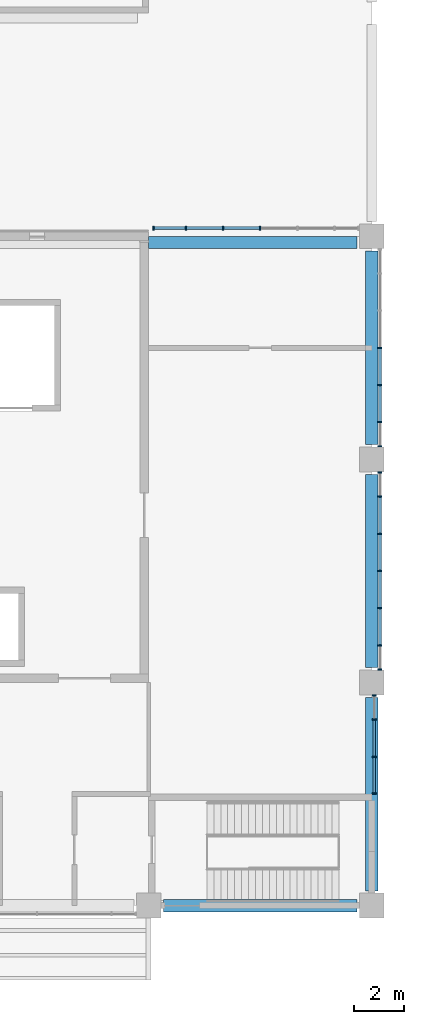
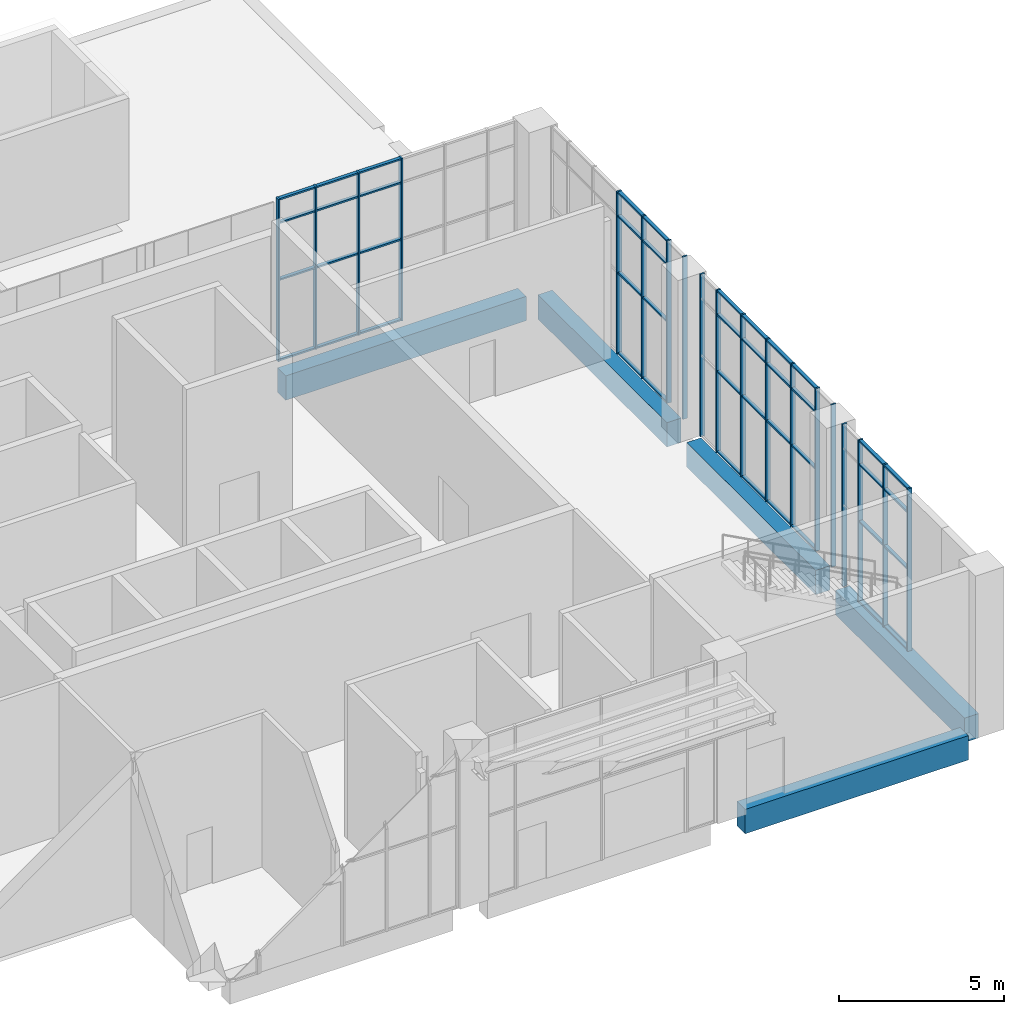
# One storey, part 29 of 86: 63 members, 5 beams, 4 elements without a shape of their own.
"""IFC4 building model written with IfcOpenShell, lengths in metres."""

from ifc_helpers import new_model, si_unit, direction, frame, origin, origin_2d, place, context, subcontext, project, spatial, rectangle, extrude, material, layer, layer_set, material_profile, profile_set, type_object, element, aggregate, save


model = new_model("IFC4")

# Units and contexts
model_context = context("Model", 3, precision=1e-05, world=origin(), true_north=direction((0.0, 1.0)))
body_context = subcontext(model_context, "Body", "Model", "MODEL_VIEW")
ifc_project = project(units=[si_unit("LENGTHUNIT", "METRE"), si_unit("AREAUNIT", "SQUARE_METRE"), si_unit("VOLUMEUNIT", "CUBIC_METRE"), si_unit("PLANEANGLEUNIT", "RADIAN"), si_unit("MASSUNIT", "GRAM", prefix="KILO")], contexts=[model_context])

# Site, building, storey
site_placement = place(None, origin())
site = spatial("IfcSite", under=ifc_project, at=site_placement, CompositionType="ELEMENT")
building_placement = place(site_placement, origin())
building = spatial("IfcBuilding", under=site, at=building_placement, Name="Guidao Yard Department Store", CompositionType="ELEMENT")
storey_placement = place(building_placement, origin())
storey = spatial("IfcBuildingStorey", under=building, at=storey_placement, Name="L00", CompositionType="ELEMENT", Elevation=0.0)

# Beam
ifc_material_1 = material(Name="Concrete C40", Category="concrete")
ifc_material_profile_1 = material_profile(ifc_material_1, rectangle(XDim=0.5, YDim=0.89990234375, at=origin_2d()), Name="Edge beam 500 x 900 C40")
ifc_profile_set_1 = profile_set([ifc_material_profile_1], Name="Concrete C40")
beam_type_1 = type_object("IfcBeamType", Name="Edge beam 500 x 900 C40", PredefinedType="BEAM", material=ifc_profile_set_1)
beam_placement = place(storey_placement, frame((162.0, 26.75, -0.449951171875), z_axis=(1.0, 0.0, 0.0), x_axis=(0.0, 1.0, 0.0)))
element("IfcBeam", 1, at=beam_placement, inside=storey, type_object=beam_type_1, Name="Beam FB04", PredefinedType="BEAM", context=body_context, shape_type="SweptSolid", body=[
    extrude(rectangle(XDim=0.5, YDim=0.89990234375, at=origin_2d()), origin(), (0.0, 0.0, 1.0), 8.39990234375),
])

# Curtain wall, members
ifc_material_2 = material(Name="Aluminium and glass", Category="aluminium")
ifc_layer = layer(ifc_material_2, 0.159912109375)
ifc_layer_set = layer_set([ifc_layer], Name="Unitised curtain wall CW4 1500 module")
curtain_wall_type = type_object("IfcCurtainWallType", Name="Unitised curtain wall CW4 1500 module", PredefinedType="NOTDEFINED", material=ifc_layer_set)
curtain_wall_1_placement = place(storey_placement, origin())
curtain_wall_1 = element("IfcCurtainWall", 2, at=curtain_wall_1_placement, inside=storey, type_object=curtain_wall_type, Name="Unitised curtain wall", PredefinedType="NOTDEFINED")
ifc_material_3 = material(Name="Aluminium 6063-T5", Category="aluminium")
ifc_material_profile_2 = material_profile(ifc_material_3, rectangle(XDim=0.06005859375, YDim=0.159912109375, at=origin_2d()), Name="Mullion M1 60 x 160 aluminium pressure plate")
ifc_profile_set_2 = profile_set([ifc_material_profile_2], Name="Aluminium 6063-T5")
member_type_1 = type_object("IfcMemberType", Name="Mullion M1 60 x 160 aluminium pressure plate", PredefinedType="MULLION", material=ifc_profile_set_2)
member_1_placement = place(storey_placement, frame((162.205078125, 27.330078125, 0.0), z_axis=(0.0, 0.0, 1.0), x_axis=(1.0, 0.0, 0.0)))
member_1 = element("IfcMember", 3, at=member_1_placement, type_object=member_type_1, Name="CW-OW-L00-07 mullion 1", PredefinedType="MULLION", context=body_context, shape_type="SweptSolid", body=[
    extrude(rectangle(XDim=0.06005859375, YDim=0.159912109375, at=origin_2d()), origin(), (0.0, 0.0, 1.0), 6.0),
])
member_2_placement = place(storey_placement, frame((163.5, 27.330078125, 0.0), z_axis=(0.0, 0.0, 1.0), x_axis=(1.0, 0.0, 0.0)))
member_2 = element("IfcMember", 4, at=member_2_placement, type_object=member_type_1, Name="CW-OW-L00-07 mullion 2", PredefinedType="MULLION", context=body_context, shape_type="SweptSolid", body=[
    extrude(rectangle(XDim=0.06005859375, YDim=0.159912109375, at=origin_2d()), origin(), (0.0, 0.0, 1.0), 6.0),
])
member_3_placement = place(storey_placement, frame((165.0, 27.330078125, 0.0), z_axis=(0.0, 0.0, 1.0), x_axis=(1.0, 0.0, 0.0)))
member_3 = element("IfcMember", 5, at=member_3_placement, type_object=member_type_1, Name="CW-OW-L00-07 mullion 3", PredefinedType="MULLION", context=body_context, shape_type="SweptSolid", body=[
    extrude(rectangle(XDim=0.06005859375, YDim=0.159912109375, at=origin_2d()), origin(), (0.0, 0.0, 1.0), 6.0),
])
member_4_placement = place(storey_placement, frame((166.5, 27.330078125, 0.0), z_axis=(0.0, 0.0, 1.0), x_axis=(1.0, 0.0, 0.0)))
member_4 = element("IfcMember", 6, at=member_4_placement, type_object=member_type_1, Name="CW-OW-L00-07 mullion 4", PredefinedType="MULLION", context=body_context, shape_type="SweptSolid", body=[
    extrude(rectangle(XDim=0.06005859375, YDim=0.159912109375, at=origin_2d()), origin(), (0.0, 0.0, 1.0), 6.0),
])

curtain_wall_2_placement = place(storey_placement, origin())
curtain_wall_2 = element("IfcCurtainWall", 7, at=curtain_wall_2_placement, inside=storey, type_object=curtain_wall_type, Name="Unitised curtain wall", PredefinedType="NOTDEFINED")
member_5_placement = place(storey_placement, frame((171.10009765625, 4.530029296875, 0.0), z_axis=(0.0, 0.0, 1.0), x_axis=(0.0, -1.0, 0.0)))
member_5 = element("IfcMember", 8, at=member_5_placement, type_object=member_type_1, Name="CW-OW-L00-08 mullion 1", PredefinedType="MULLION", context=body_context, shape_type="SweptSolid", body=[
    extrude(rectangle(XDim=0.06005859375, YDim=0.159912109375, at=origin_2d()), origin(), (0.0, 0.0, 1.0), 6.0),
])
member_6_placement = place(storey_placement, frame((171.10009765625, 6.0, 0.0), z_axis=(0.0, 0.0, 1.0), x_axis=(0.0, -1.0, 0.0)))
member_6 = element("IfcMember", 9, at=member_6_placement, type_object=member_type_1, Name="CW-OW-L00-08 mullion 2", PredefinedType="MULLION", context=body_context, shape_type="SweptSolid", body=[
    extrude(rectangle(XDim=0.06005859375, YDim=0.159912109375, at=origin_2d()), origin(), (0.0, 0.0, 1.0), 6.0),
])
member_7_placement = place(storey_placement, frame((171.10009765625, 7.5, 0.0), z_axis=(0.0, 0.0, 1.0), x_axis=(0.0, -1.0, 0.0)))
member_7 = element("IfcMember", 10, at=member_7_placement, type_object=member_type_1, Name="CW-OW-L00-08 mullion 3", PredefinedType="MULLION", context=body_context, shape_type="SweptSolid", body=[
    extrude(rectangle(XDim=0.06005859375, YDim=0.159912109375, at=origin_2d()), origin(), (0.0, 0.0, 1.0), 6.0),
])
member_8_placement = place(storey_placement, frame((171.10009765625, 8.469970703125, 0.0), z_axis=(0.0, 0.0, 1.0), x_axis=(0.0, -1.0, 0.0)))
member_8 = element("IfcMember", 11, at=member_8_placement, type_object=member_type_1, Name="CW-OW-L00-08 mullion 4", PredefinedType="MULLION", context=body_context, shape_type="SweptSolid", body=[
    extrude(rectangle(XDim=0.06005859375, YDim=0.159912109375, at=origin_2d()), origin(), (0.0, 0.0, 1.0), 6.0),
])

curtain_wall_3_placement = place(storey_placement, origin())
curtain_wall_3 = element("IfcCurtainWall", 12, at=curtain_wall_3_placement, inside=storey, type_object=curtain_wall_type, Name="Unitised curtain wall", PredefinedType="NOTDEFINED")
member_9_placement = place(storey_placement, frame((171.330078125, 9.530029296875, 0.0), z_axis=(0.0, 0.0, 1.0), x_axis=(0.0, -1.0, 0.0)))
member_9 = element("IfcMember", 13, at=member_9_placement, type_object=member_type_1, Name="CW-OW-L00-09 mullion 1", PredefinedType="MULLION", context=body_context, shape_type="SweptSolid", body=[
    extrude(rectangle(XDim=0.06005859375, YDim=0.159912109375, at=origin_2d()), origin(), (0.0, 0.0, 1.0), 6.0),
])
member_10_placement = place(storey_placement, frame((171.330078125, 10.5, 0.0), z_axis=(0.0, 0.0, 1.0), x_axis=(0.0, -1.0, 0.0)))
member_10 = element("IfcMember", 14, at=member_10_placement, type_object=member_type_1, Name="CW-OW-L00-09 mullion 2", PredefinedType="MULLION", context=body_context, shape_type="SweptSolid", body=[
    extrude(rectangle(XDim=0.06005859375, YDim=0.159912109375, at=origin_2d()), origin(), (0.0, 0.0, 1.0), 6.0),
])
member_11_placement = place(storey_placement, frame((171.330078125, 12.0, 0.0), z_axis=(0.0, 0.0, 1.0), x_axis=(0.0, -1.0, 0.0)))
member_11 = element("IfcMember", 15, at=member_11_placement, type_object=member_type_1, Name="CW-OW-L00-09 mullion 3", PredefinedType="MULLION", context=body_context, shape_type="SweptSolid", body=[
    extrude(rectangle(XDim=0.06005859375, YDim=0.159912109375, at=origin_2d()), origin(), (0.0, 0.0, 1.0), 6.0),
])
member_12_placement = place(storey_placement, frame((171.330078125, 13.5, 0.0), z_axis=(0.0, 0.0, 1.0), x_axis=(0.0, -1.0, 0.0)))
member_12 = element("IfcMember", 16, at=member_12_placement, type_object=member_type_1, Name="CW-OW-L00-09 mullion 4", PredefinedType="MULLION", context=body_context, shape_type="SweptSolid", body=[
    extrude(rectangle(XDim=0.06005859375, YDim=0.159912109375, at=origin_2d()), origin(), (0.0, 0.0, 1.0), 6.0),
])
member_13_placement = place(storey_placement, frame((171.330078125, 15.0, 0.0), z_axis=(0.0, 0.0, 1.0), x_axis=(0.0, -1.0, 0.0)))
member_13 = element("IfcMember", 17, at=member_13_placement, type_object=member_type_1, Name="CW-OW-L00-09 mullion 5", PredefinedType="MULLION", context=body_context, shape_type="SweptSolid", body=[
    extrude(rectangle(XDim=0.06005859375, YDim=0.159912109375, at=origin_2d()), origin(), (0.0, 0.0, 1.0), 6.0),
])
member_14_placement = place(storey_placement, frame((171.330078125, 16.5, 0.0), z_axis=(0.0, 0.0, 1.0), x_axis=(0.0, -1.0, 0.0)))
member_14 = element("IfcMember", 18, at=member_14_placement, type_object=member_type_1, Name="CW-OW-L00-09 mullion 6", PredefinedType="MULLION", context=body_context, shape_type="SweptSolid", body=[
    extrude(rectangle(XDim=0.06005859375, YDim=0.159912109375, at=origin_2d()), origin(), (0.0, 0.0, 1.0), 6.0),
])
member_15_placement = place(storey_placement, frame((171.330078125, 17.469970703125, 0.0), z_axis=(0.0, 0.0, 1.0), x_axis=(0.0, -1.0, 0.0)))
member_15 = element("IfcMember", 19, at=member_15_placement, type_object=member_type_1, Name="CW-OW-L00-09 mullion 7", PredefinedType="MULLION", context=body_context, shape_type="SweptSolid", body=[
    extrude(rectangle(XDim=0.06005859375, YDim=0.159912109375, at=origin_2d()), origin(), (0.0, 0.0, 1.0), 6.0),
])

curtain_wall_4_placement = place(storey_placement, origin())
curtain_wall_4 = element("IfcCurtainWall", 20, at=curtain_wall_4_placement, inside=storey, type_object=curtain_wall_type, Name="Unitised curtain wall", PredefinedType="NOTDEFINED")
member_16_placement = place(storey_placement, frame((171.330078125, 18.530029296875, 0.0), z_axis=(0.0, 0.0, 1.0), x_axis=(0.0, -1.0, 0.0)))
member_16 = element("IfcMember", 21, at=member_16_placement, type_object=member_type_1, Name="CW-OW-L00-10 mullion 1", PredefinedType="MULLION", context=body_context, shape_type="SweptSolid", body=[
    extrude(rectangle(XDim=0.06005859375, YDim=0.159912109375, at=origin_2d()), origin(), (0.0, 0.0, 1.0), 6.0),
])
member_17_placement = place(storey_placement, frame((171.330078125, 19.5, 0.0), z_axis=(0.0, 0.0, 1.0), x_axis=(0.0, -1.0, 0.0)))
member_17 = element("IfcMember", 22, at=member_17_placement, type_object=member_type_1, Name="CW-OW-L00-10 mullion 2", PredefinedType="MULLION", context=body_context, shape_type="SweptSolid", body=[
    extrude(rectangle(XDim=0.06005859375, YDim=0.159912109375, at=origin_2d()), origin(), (0.0, 0.0, 1.0), 6.0),
])
member_18_placement = place(storey_placement, frame((171.330078125, 21.0, 0.0), z_axis=(0.0, 0.0, 1.0), x_axis=(0.0, -1.0, 0.0)))
member_18 = element("IfcMember", 23, at=member_18_placement, type_object=member_type_1, Name="CW-OW-L00-10 mullion 3", PredefinedType="MULLION", context=body_context, shape_type="SweptSolid", body=[
    extrude(rectangle(XDim=0.06005859375, YDim=0.159912109375, at=origin_2d()), origin(), (0.0, 0.0, 1.0), 6.0),
])
member_19_placement = place(storey_placement, frame((171.330078125, 22.5, 0.0), z_axis=(0.0, 0.0, 1.0), x_axis=(0.0, -1.0, 0.0)))
member_19 = element("IfcMember", 24, at=member_19_placement, type_object=member_type_1, Name="CW-OW-L00-10 mullion 4", PredefinedType="MULLION", context=body_context, shape_type="SweptSolid", body=[
    extrude(rectangle(XDim=0.06005859375, YDim=0.159912109375, at=origin_2d()), origin(), (0.0, 0.0, 1.0), 6.0),
])

# Beams
ifc_material_4 = material(Name="Concrete C40", Category="concrete")
ifc_material_profile_3 = material_profile(ifc_material_4, rectangle(XDim=0.5, YDim=0.89990234375, at=origin_2d()), Name="Spandrel beam 500 x 900 C40")
ifc_profile_set_3 = profile_set([ifc_material_profile_3], Name="Concrete C40")
beam_type_2 = type_object("IfcBeamType", Name="Spandrel beam 500 x 900 C40", PredefinedType="SPANDREL", material=ifc_profile_set_3)
for number, where, z_axis, x_axis, name in (
    (25, (171.0, 0.60009765625, -0.449951171875), (0.0, 1.0, 0.0), (-1.0, 0.0, 0.0), "Beam FB05"),
    (26, (171.0, 9.60009765625, -0.449951171875), (0.0, 1.0, 0.0), (-1.0, 0.0, 0.0), "Beam FB06"),
    (27, (171.0, 18.60009765625, -0.449951171875), (0.0, 1.0, 0.0), (-1.0, 0.0, 0.0), "Beam FB07"),
    (28, (162.60009765625, 0.0, -0.449951171875), (1.0, 0.0, 0.0), (0.0, 1.0, 0.0), "Beam FB10"),
):
    element("IfcBeam", number, at=place(storey_placement, frame(where, z_axis=z_axis, x_axis=x_axis)), inside=storey, type_object=beam_type_2, Name=name, PredefinedType="SPANDREL", context=body_context, shape_type="SweptSolid", body=[
        extrude(rectangle(XDim=0.5, YDim=0.89990234375, at=origin_2d()), origin(), (0.0, 0.0, 1.0), 7.7998046875),
    ])

# Member
ifc_material_5 = material(Name="Aluminium 6063-T5", Category="aluminium")
ifc_material_profile_4 = material_profile(ifc_material_5, rectangle(XDim=0.1201171875, YDim=0.06005859375, at=origin_2d()), Name="Transom T1 60 x 120 aluminium pressure plate")
ifc_profile_set_4 = profile_set([ifc_material_profile_4], Name="Aluminium 6063-T5")
member_type_2 = type_object("IfcMemberType", Name="Transom T1 60 x 120 aluminium pressure plate", PredefinedType="USERDEFINED", material=ifc_profile_set_4)
member_20_placement = place(storey_placement, frame((162.235107421875, 27.330078125, 0.030029296875), z_axis=(1.0, 0.0, 0.0), x_axis=(0.0, 1.0, 0.0)))
member_20 = element("IfcMember", 29, at=member_20_placement, type_object=member_type_2, Name="CW-OW-L00-07 transom 1.1", ObjectType="TRANSOM", PredefinedType="USERDEFINED", context=body_context, shape_type="SweptSolid", body=[
    extrude(rectangle(XDim=0.1201171875, YDim=0.06005859375, at=origin_2d()), origin(), (0.0, 0.0, 1.0), 1.23486328125),
])

member_21_placement = place(storey_placement, frame((162.235107421875, 27.330078125, 3.0), z_axis=(1.0, 0.0, 0.0), x_axis=(0.0, 1.0, 0.0)))
member_21 = element("IfcMember", 30, at=member_21_placement, type_object=member_type_2, Name="CW-OW-L00-07 transom 1.2", ObjectType="TRANSOM", PredefinedType="USERDEFINED", context=body_context, shape_type="SweptSolid", body=[
    extrude(rectangle(XDim=0.1201171875, YDim=0.06005859375, at=origin_2d()), origin(), (0.0, 0.0, 1.0), 1.23486328125),
])

member_22_placement = place(storey_placement, frame((162.235107421875, 27.330078125, 5.10009765625), z_axis=(1.0, 0.0, 0.0), x_axis=(0.0, 1.0, 0.0)))
member_22 = element("IfcMember", 31, at=member_22_placement, type_object=member_type_2, Name="CW-OW-L00-07 transom 1.3", ObjectType="TRANSOM", PredefinedType="USERDEFINED", context=body_context, shape_type="SweptSolid", body=[
    extrude(rectangle(XDim=0.1201171875, YDim=0.06005859375, at=origin_2d()), origin(), (0.0, 0.0, 1.0), 1.23486328125),
])

member_23_placement = place(storey_placement, frame((162.235107421875, 27.330078125, 5.969970703125), z_axis=(1.0, 0.0, 0.0), x_axis=(0.0, 1.0, 0.0)))
member_23 = element("IfcMember", 32, at=member_23_placement, type_object=member_type_2, Name="CW-OW-L00-07 transom 1.4", ObjectType="TRANSOM", PredefinedType="USERDEFINED", context=body_context, shape_type="SweptSolid", body=[
    extrude(rectangle(XDim=0.1201171875, YDim=0.06005859375, at=origin_2d()), origin(), (0.0, 0.0, 1.0), 1.23486328125),
])

member_24_placement = place(storey_placement, frame((163.530029296875, 27.330078125, 0.030029296875), z_axis=(1.0, 0.0, 0.0), x_axis=(0.0, 1.0, 0.0)))
member_24 = element("IfcMember", 33, at=member_24_placement, type_object=member_type_2, Name="CW-OW-L00-07 transom 2.1", ObjectType="TRANSOM", PredefinedType="USERDEFINED", context=body_context, shape_type="SweptSolid", body=[
    extrude(rectangle(XDim=0.1201171875, YDim=0.06005859375, at=origin_2d()), origin(), (0.0, 0.0, 1.0), 1.43994140625),
])

member_25_placement = place(storey_placement, frame((163.530029296875, 27.330078125, 3.0), z_axis=(1.0, 0.0, 0.0), x_axis=(0.0, 1.0, 0.0)))
member_25 = element("IfcMember", 34, at=member_25_placement, type_object=member_type_2, Name="CW-OW-L00-07 transom 2.2", ObjectType="TRANSOM", PredefinedType="USERDEFINED", context=body_context, shape_type="SweptSolid", body=[
    extrude(rectangle(XDim=0.1201171875, YDim=0.06005859375, at=origin_2d()), origin(), (0.0, 0.0, 1.0), 1.43994140625),
])

member_26_placement = place(storey_placement, frame((163.530029296875, 27.330078125, 5.10009765625), z_axis=(1.0, 0.0, 0.0), x_axis=(0.0, 1.0, 0.0)))
member_26 = element("IfcMember", 35, at=member_26_placement, type_object=member_type_2, Name="CW-OW-L00-07 transom 2.3", ObjectType="TRANSOM", PredefinedType="USERDEFINED", context=body_context, shape_type="SweptSolid", body=[
    extrude(rectangle(XDim=0.1201171875, YDim=0.06005859375, at=origin_2d()), origin(), (0.0, 0.0, 1.0), 1.43994140625),
])

member_27_placement = place(storey_placement, frame((163.530029296875, 27.330078125, 5.969970703125), z_axis=(1.0, 0.0, 0.0), x_axis=(0.0, 1.0, 0.0)))
member_27 = element("IfcMember", 36, at=member_27_placement, type_object=member_type_2, Name="CW-OW-L00-07 transom 2.4", ObjectType="TRANSOM", PredefinedType="USERDEFINED", context=body_context, shape_type="SweptSolid", body=[
    extrude(rectangle(XDim=0.1201171875, YDim=0.06005859375, at=origin_2d()), origin(), (0.0, 0.0, 1.0), 1.43994140625),
])

member_28_placement = place(storey_placement, frame((165.030029296875, 27.330078125, 0.030029296875), z_axis=(1.0, 0.0, 0.0), x_axis=(0.0, 1.0, 0.0)))
member_28 = element("IfcMember", 37, at=member_28_placement, type_object=member_type_2, Name="CW-OW-L00-07 transom 3.1", ObjectType="TRANSOM", PredefinedType="USERDEFINED", context=body_context, shape_type="SweptSolid", body=[
    extrude(rectangle(XDim=0.1201171875, YDim=0.06005859375, at=origin_2d()), origin(), (0.0, 0.0, 1.0), 1.43994140625),
])

member_29_placement = place(storey_placement, frame((165.030029296875, 27.330078125, 3.0), z_axis=(1.0, 0.0, 0.0), x_axis=(0.0, 1.0, 0.0)))
member_29 = element("IfcMember", 38, at=member_29_placement, type_object=member_type_2, Name="CW-OW-L00-07 transom 3.2", ObjectType="TRANSOM", PredefinedType="USERDEFINED", context=body_context, shape_type="SweptSolid", body=[
    extrude(rectangle(XDim=0.1201171875, YDim=0.06005859375, at=origin_2d()), origin(), (0.0, 0.0, 1.0), 1.43994140625),
])

member_30_placement = place(storey_placement, frame((165.030029296875, 27.330078125, 5.10009765625), z_axis=(1.0, 0.0, 0.0), x_axis=(0.0, 1.0, 0.0)))
member_30 = element("IfcMember", 39, at=member_30_placement, type_object=member_type_2, Name="CW-OW-L00-07 transom 3.3", ObjectType="TRANSOM", PredefinedType="USERDEFINED", context=body_context, shape_type="SweptSolid", body=[
    extrude(rectangle(XDim=0.1201171875, YDim=0.06005859375, at=origin_2d()), origin(), (0.0, 0.0, 1.0), 1.43994140625),
])

member_31_placement = place(storey_placement, frame((165.030029296875, 27.330078125, 5.969970703125), z_axis=(1.0, 0.0, 0.0), x_axis=(0.0, 1.0, 0.0)))
member_31 = element("IfcMember", 40, at=member_31_placement, type_object=member_type_2, Name="CW-OW-L00-07 transom 3.4", ObjectType="TRANSOM", PredefinedType="USERDEFINED", context=body_context, shape_type="SweptSolid", body=[
    extrude(rectangle(XDim=0.1201171875, YDim=0.06005859375, at=origin_2d()), origin(), (0.0, 0.0, 1.0), 1.43994140625),
])

aggregate(curtain_wall_1, [member_1, member_2, member_3, member_4, member_20, member_21, member_22, member_23, member_24, member_25, member_26, member_27, member_28, member_29, member_30, member_31])

member_32_placement = place(storey_placement, frame((171.10009765625, 5.969970703125, 0.030029296875), z_axis=(0.0, -1.0, 0.0), x_axis=(1.0, 0.0, 0.0)))
member_32 = element("IfcMember", 41, at=member_32_placement, type_object=member_type_2, Name="CW-OW-L00-08 transom 1.1", ObjectType="TRANSOM", PredefinedType="USERDEFINED", context=body_context, shape_type="SweptSolid", body=[
    extrude(rectangle(XDim=0.1201171875, YDim=0.06005859375, at=origin_2d()), origin(), (0.0, 0.0, 1.0), 1.409912109375),
])

member_33_placement = place(storey_placement, frame((171.10009765625, 5.969970703125, 3.0), z_axis=(0.0, -1.0, 0.0), x_axis=(1.0, 0.0, 0.0)))
member_33 = element("IfcMember", 42, at=member_33_placement, type_object=member_type_2, Name="CW-OW-L00-08 transom 1.2", ObjectType="TRANSOM", PredefinedType="USERDEFINED", context=body_context, shape_type="SweptSolid", body=[
    extrude(rectangle(XDim=0.1201171875, YDim=0.06005859375, at=origin_2d()), origin(), (0.0, 0.0, 1.0), 1.409912109375),
])

member_34_placement = place(storey_placement, frame((171.10009765625, 5.969970703125, 5.10009765625), z_axis=(0.0, -1.0, 0.0), x_axis=(1.0, 0.0, 0.0)))
member_34 = element("IfcMember", 43, at=member_34_placement, type_object=member_type_2, Name="CW-OW-L00-08 transom 1.3", ObjectType="TRANSOM", PredefinedType="USERDEFINED", context=body_context, shape_type="SweptSolid", body=[
    extrude(rectangle(XDim=0.1201171875, YDim=0.06005859375, at=origin_2d()), origin(), (0.0, 0.0, 1.0), 1.409912109375),
])

member_35_placement = place(storey_placement, frame((171.10009765625, 5.969970703125, 5.969970703125), z_axis=(0.0, -1.0, 0.0), x_axis=(1.0, 0.0, 0.0)))
member_35 = element("IfcMember", 44, at=member_35_placement, type_object=member_type_2, Name="CW-OW-L00-08 transom 1.4", ObjectType="TRANSOM", PredefinedType="USERDEFINED", context=body_context, shape_type="SweptSolid", body=[
    extrude(rectangle(XDim=0.1201171875, YDim=0.06005859375, at=origin_2d()), origin(), (0.0, 0.0, 1.0), 1.409912109375),
])

member_36_placement = place(storey_placement, frame((171.10009765625, 7.469970703125, 0.030029296875), z_axis=(0.0, -1.0, 0.0), x_axis=(1.0, 0.0, 0.0)))
member_36 = element("IfcMember", 45, at=member_36_placement, type_object=member_type_2, Name="CW-OW-L00-08 transom 2.1", ObjectType="TRANSOM", PredefinedType="USERDEFINED", context=body_context, shape_type="SweptSolid", body=[
    extrude(rectangle(XDim=0.1201171875, YDim=0.06005859375, at=origin_2d()), origin(), (0.0, 0.0, 1.0), 1.43994140625),
])

member_37_placement = place(storey_placement, frame((171.10009765625, 7.469970703125, 3.0), z_axis=(0.0, -1.0, 0.0), x_axis=(1.0, 0.0, 0.0)))
member_37 = element("IfcMember", 46, at=member_37_placement, type_object=member_type_2, Name="CW-OW-L00-08 transom 2.2", ObjectType="TRANSOM", PredefinedType="USERDEFINED", context=body_context, shape_type="SweptSolid", body=[
    extrude(rectangle(XDim=0.1201171875, YDim=0.06005859375, at=origin_2d()), origin(), (0.0, 0.0, 1.0), 1.43994140625),
])

member_38_placement = place(storey_placement, frame((171.10009765625, 7.469970703125, 5.10009765625), z_axis=(0.0, -1.0, 0.0), x_axis=(1.0, 0.0, 0.0)))
member_38 = element("IfcMember", 47, at=member_38_placement, type_object=member_type_2, Name="CW-OW-L00-08 transom 2.3", ObjectType="TRANSOM", PredefinedType="USERDEFINED", context=body_context, shape_type="SweptSolid", body=[
    extrude(rectangle(XDim=0.1201171875, YDim=0.06005859375, at=origin_2d()), origin(), (0.0, 0.0, 1.0), 1.43994140625),
])

member_39_placement = place(storey_placement, frame((171.10009765625, 7.469970703125, 5.969970703125), z_axis=(0.0, -1.0, 0.0), x_axis=(1.0, 0.0, 0.0)))
member_39 = element("IfcMember", 48, at=member_39_placement, type_object=member_type_2, Name="CW-OW-L00-08 transom 2.4", ObjectType="TRANSOM", PredefinedType="USERDEFINED", context=body_context, shape_type="SweptSolid", body=[
    extrude(rectangle(XDim=0.1201171875, YDim=0.06005859375, at=origin_2d()), origin(), (0.0, 0.0, 1.0), 1.43994140625),
])

aggregate(curtain_wall_2, [member_5, member_6, member_7, member_8, member_32, member_33, member_34, member_35, member_36, member_37, member_38, member_39])

member_40_placement = place(storey_placement, frame((171.330078125, 11.969970703125, 0.030029296875), z_axis=(0.0, -1.0, 0.0), x_axis=(1.0, 0.0, 0.0)))
member_40 = element("IfcMember", 49, at=member_40_placement, type_object=member_type_2, Name="CW-OW-L00-09 transom 2.1", ObjectType="TRANSOM", PredefinedType="USERDEFINED", context=body_context, shape_type="SweptSolid", body=[
    extrude(rectangle(XDim=0.1201171875, YDim=0.06005859375, at=origin_2d()), origin(), (0.0, 0.0, 1.0), 1.43994140625),
])

member_41_placement = place(storey_placement, frame((171.330078125, 11.969970703125, 3.0), z_axis=(0.0, -1.0, 0.0), x_axis=(1.0, 0.0, 0.0)))
member_41 = element("IfcMember", 50, at=member_41_placement, type_object=member_type_2, Name="CW-OW-L00-09 transom 2.2", ObjectType="TRANSOM", PredefinedType="USERDEFINED", context=body_context, shape_type="SweptSolid", body=[
    extrude(rectangle(XDim=0.1201171875, YDim=0.06005859375, at=origin_2d()), origin(), (0.0, 0.0, 1.0), 1.43994140625),
])

member_42_placement = place(storey_placement, frame((171.330078125, 11.969970703125, 5.10009765625), z_axis=(0.0, -1.0, 0.0), x_axis=(1.0, 0.0, 0.0)))
member_42 = element("IfcMember", 51, at=member_42_placement, type_object=member_type_2, Name="CW-OW-L00-09 transom 2.3", ObjectType="TRANSOM", PredefinedType="USERDEFINED", context=body_context, shape_type="SweptSolid", body=[
    extrude(rectangle(XDim=0.1201171875, YDim=0.06005859375, at=origin_2d()), origin(), (0.0, 0.0, 1.0), 1.43994140625),
])

member_43_placement = place(storey_placement, frame((171.330078125, 11.969970703125, 5.969970703125), z_axis=(0.0, -1.0, 0.0), x_axis=(1.0, 0.0, 0.0)))
member_43 = element("IfcMember", 52, at=member_43_placement, type_object=member_type_2, Name="CW-OW-L00-09 transom 2.4", ObjectType="TRANSOM", PredefinedType="USERDEFINED", context=body_context, shape_type="SweptSolid", body=[
    extrude(rectangle(XDim=0.1201171875, YDim=0.06005859375, at=origin_2d()), origin(), (0.0, 0.0, 1.0), 1.43994140625),
])

member_44_placement = place(storey_placement, frame((171.330078125, 13.469970703125, 0.030029296875), z_axis=(0.0, -1.0, 0.0), x_axis=(1.0, 0.0, 0.0)))
member_44 = element("IfcMember", 53, at=member_44_placement, type_object=member_type_2, Name="CW-OW-L00-09 transom 3.1", ObjectType="TRANSOM", PredefinedType="USERDEFINED", context=body_context, shape_type="SweptSolid", body=[
    extrude(rectangle(XDim=0.1201171875, YDim=0.06005859375, at=origin_2d()), origin(), (0.0, 0.0, 1.0), 1.43994140625),
])

member_45_placement = place(storey_placement, frame((171.330078125, 13.469970703125, 3.0), z_axis=(0.0, -1.0, 0.0), x_axis=(1.0, 0.0, 0.0)))
member_45 = element("IfcMember", 54, at=member_45_placement, type_object=member_type_2, Name="CW-OW-L00-09 transom 3.2", ObjectType="TRANSOM", PredefinedType="USERDEFINED", context=body_context, shape_type="SweptSolid", body=[
    extrude(rectangle(XDim=0.1201171875, YDim=0.06005859375, at=origin_2d()), origin(), (0.0, 0.0, 1.0), 1.43994140625),
])

member_46_placement = place(storey_placement, frame((171.330078125, 13.469970703125, 5.10009765625), z_axis=(0.0, -1.0, 0.0), x_axis=(1.0, 0.0, 0.0)))
member_46 = element("IfcMember", 55, at=member_46_placement, type_object=member_type_2, Name="CW-OW-L00-09 transom 3.3", ObjectType="TRANSOM", PredefinedType="USERDEFINED", context=body_context, shape_type="SweptSolid", body=[
    extrude(rectangle(XDim=0.1201171875, YDim=0.06005859375, at=origin_2d()), origin(), (0.0, 0.0, 1.0), 1.43994140625),
])

member_47_placement = place(storey_placement, frame((171.330078125, 13.469970703125, 5.969970703125), z_axis=(0.0, -1.0, 0.0), x_axis=(1.0, 0.0, 0.0)))
member_47 = element("IfcMember", 56, at=member_47_placement, type_object=member_type_2, Name="CW-OW-L00-09 transom 3.4", ObjectType="TRANSOM", PredefinedType="USERDEFINED", context=body_context, shape_type="SweptSolid", body=[
    extrude(rectangle(XDim=0.1201171875, YDim=0.06005859375, at=origin_2d()), origin(), (0.0, 0.0, 1.0), 1.43994140625),
])

member_48_placement = place(storey_placement, frame((171.330078125, 14.969970703125, 0.030029296875), z_axis=(0.0, -1.0, 0.0), x_axis=(1.0, 0.0, 0.0)))
member_48 = element("IfcMember", 57, at=member_48_placement, type_object=member_type_2, Name="CW-OW-L00-09 transom 4.1", ObjectType="TRANSOM", PredefinedType="USERDEFINED", context=body_context, shape_type="SweptSolid", body=[
    extrude(rectangle(XDim=0.1201171875, YDim=0.06005859375, at=origin_2d()), origin(), (0.0, 0.0, 1.0), 1.43994140625),
])

member_49_placement = place(storey_placement, frame((171.330078125, 14.969970703125, 3.0), z_axis=(0.0, -1.0, 0.0), x_axis=(1.0, 0.0, 0.0)))
member_49 = element("IfcMember", 58, at=member_49_placement, type_object=member_type_2, Name="CW-OW-L00-09 transom 4.2", ObjectType="TRANSOM", PredefinedType="USERDEFINED", context=body_context, shape_type="SweptSolid", body=[
    extrude(rectangle(XDim=0.1201171875, YDim=0.06005859375, at=origin_2d()), origin(), (0.0, 0.0, 1.0), 1.43994140625),
])

member_50_placement = place(storey_placement, frame((171.330078125, 14.969970703125, 5.10009765625), z_axis=(0.0, -1.0, 0.0), x_axis=(1.0, 0.0, 0.0)))
member_50 = element("IfcMember", 59, at=member_50_placement, type_object=member_type_2, Name="CW-OW-L00-09 transom 4.3", ObjectType="TRANSOM", PredefinedType="USERDEFINED", context=body_context, shape_type="SweptSolid", body=[
    extrude(rectangle(XDim=0.1201171875, YDim=0.06005859375, at=origin_2d()), origin(), (0.0, 0.0, 1.0), 1.43994140625),
])

member_51_placement = place(storey_placement, frame((171.330078125, 14.969970703125, 5.969970703125), z_axis=(0.0, -1.0, 0.0), x_axis=(1.0, 0.0, 0.0)))
member_51 = element("IfcMember", 60, at=member_51_placement, type_object=member_type_2, Name="CW-OW-L00-09 transom 4.4", ObjectType="TRANSOM", PredefinedType="USERDEFINED", context=body_context, shape_type="SweptSolid", body=[
    extrude(rectangle(XDim=0.1201171875, YDim=0.06005859375, at=origin_2d()), origin(), (0.0, 0.0, 1.0), 1.43994140625),
])

member_52_placement = place(storey_placement, frame((171.330078125, 16.469970703125, 0.030029296875), z_axis=(0.0, -1.0, 0.0), x_axis=(1.0, 0.0, 0.0)))
member_52 = element("IfcMember", 61, at=member_52_placement, type_object=member_type_2, Name="CW-OW-L00-09 transom 5.1", ObjectType="TRANSOM", PredefinedType="USERDEFINED", context=body_context, shape_type="SweptSolid", body=[
    extrude(rectangle(XDim=0.1201171875, YDim=0.06005859375, at=origin_2d()), origin(), (0.0, 0.0, 1.0), 1.43994140625),
])

member_53_placement = place(storey_placement, frame((171.330078125, 16.469970703125, 3.0), z_axis=(0.0, -1.0, 0.0), x_axis=(1.0, 0.0, 0.0)))
member_53 = element("IfcMember", 62, at=member_53_placement, type_object=member_type_2, Name="CW-OW-L00-09 transom 5.2", ObjectType="TRANSOM", PredefinedType="USERDEFINED", context=body_context, shape_type="SweptSolid", body=[
    extrude(rectangle(XDim=0.1201171875, YDim=0.06005859375, at=origin_2d()), origin(), (0.0, 0.0, 1.0), 1.43994140625),
])

member_54_placement = place(storey_placement, frame((171.330078125, 16.469970703125, 5.10009765625), z_axis=(0.0, -1.0, 0.0), x_axis=(1.0, 0.0, 0.0)))
member_54 = element("IfcMember", 63, at=member_54_placement, type_object=member_type_2, Name="CW-OW-L00-09 transom 5.3", ObjectType="TRANSOM", PredefinedType="USERDEFINED", context=body_context, shape_type="SweptSolid", body=[
    extrude(rectangle(XDim=0.1201171875, YDim=0.06005859375, at=origin_2d()), origin(), (0.0, 0.0, 1.0), 1.43994140625),
])

member_55_placement = place(storey_placement, frame((171.330078125, 16.469970703125, 5.969970703125), z_axis=(0.0, -1.0, 0.0), x_axis=(1.0, 0.0, 0.0)))
member_55 = element("IfcMember", 64, at=member_55_placement, type_object=member_type_2, Name="CW-OW-L00-09 transom 5.4", ObjectType="TRANSOM", PredefinedType="USERDEFINED", context=body_context, shape_type="SweptSolid", body=[
    extrude(rectangle(XDim=0.1201171875, YDim=0.06005859375, at=origin_2d()), origin(), (0.0, 0.0, 1.0), 1.43994140625),
])

aggregate(curtain_wall_3, [member_9, member_10, member_11, member_12, member_13, member_14, member_15, member_40, member_41, member_42, member_43, member_44, member_45, member_46, member_47, member_48, member_49, member_50, member_51, member_52, member_53, member_54, member_55])

member_56_placement = place(storey_placement, frame((171.330078125, 20.969970703125, 0.030029296875), z_axis=(0.0, -1.0, 0.0), x_axis=(1.0, 0.0, 0.0)))
member_56 = element("IfcMember", 65, at=member_56_placement, type_object=member_type_2, Name="CW-OW-L00-10 transom 2.1", ObjectType="TRANSOM", PredefinedType="USERDEFINED", context=body_context, shape_type="SweptSolid", body=[
    extrude(rectangle(XDim=0.1201171875, YDim=0.06005859375, at=origin_2d()), origin(), (0.0, 0.0, 1.0), 1.43994140625),
])

member_57_placement = place(storey_placement, frame((171.330078125, 20.969970703125, 3.0), z_axis=(0.0, -1.0, 0.0), x_axis=(1.0, 0.0, 0.0)))
member_57 = element("IfcMember", 66, at=member_57_placement, type_object=member_type_2, Name="CW-OW-L00-10 transom 2.2", ObjectType="TRANSOM", PredefinedType="USERDEFINED", context=body_context, shape_type="SweptSolid", body=[
    extrude(rectangle(XDim=0.1201171875, YDim=0.06005859375, at=origin_2d()), origin(), (0.0, 0.0, 1.0), 1.43994140625),
])

member_58_placement = place(storey_placement, frame((171.330078125, 20.969970703125, 5.10009765625), z_axis=(0.0, -1.0, 0.0), x_axis=(1.0, 0.0, 0.0)))
member_58 = element("IfcMember", 67, at=member_58_placement, type_object=member_type_2, Name="CW-OW-L00-10 transom 2.3", ObjectType="TRANSOM", PredefinedType="USERDEFINED", context=body_context, shape_type="SweptSolid", body=[
    extrude(rectangle(XDim=0.1201171875, YDim=0.06005859375, at=origin_2d()), origin(), (0.0, 0.0, 1.0), 1.43994140625),
])

member_59_placement = place(storey_placement, frame((171.330078125, 20.969970703125, 5.969970703125), z_axis=(0.0, -1.0, 0.0), x_axis=(1.0, 0.0, 0.0)))
member_59 = element("IfcMember", 68, at=member_59_placement, type_object=member_type_2, Name="CW-OW-L00-10 transom 2.4", ObjectType="TRANSOM", PredefinedType="USERDEFINED", context=body_context, shape_type="SweptSolid", body=[
    extrude(rectangle(XDim=0.1201171875, YDim=0.06005859375, at=origin_2d()), origin(), (0.0, 0.0, 1.0), 1.43994140625),
])

member_60_placement = place(storey_placement, frame((171.330078125, 22.469970703125, 0.030029296875), z_axis=(0.0, -1.0, 0.0), x_axis=(1.0, 0.0, 0.0)))
member_60 = element("IfcMember", 69, at=member_60_placement, type_object=member_type_2, Name="CW-OW-L00-10 transom 3.1", ObjectType="TRANSOM", PredefinedType="USERDEFINED", context=body_context, shape_type="SweptSolid", body=[
    extrude(rectangle(XDim=0.1201171875, YDim=0.06005859375, at=origin_2d()), origin(), (0.0, 0.0, 1.0), 1.43994140625),
])

member_61_placement = place(storey_placement, frame((171.330078125, 22.469970703125, 3.0), z_axis=(0.0, -1.0, 0.0), x_axis=(1.0, 0.0, 0.0)))
member_61 = element("IfcMember", 70, at=member_61_placement, type_object=member_type_2, Name="CW-OW-L00-10 transom 3.2", ObjectType="TRANSOM", PredefinedType="USERDEFINED", context=body_context, shape_type="SweptSolid", body=[
    extrude(rectangle(XDim=0.1201171875, YDim=0.06005859375, at=origin_2d()), origin(), (0.0, 0.0, 1.0), 1.43994140625),
])

member_62_placement = place(storey_placement, frame((171.330078125, 22.469970703125, 5.10009765625), z_axis=(0.0, -1.0, 0.0), x_axis=(1.0, 0.0, 0.0)))
member_62 = element("IfcMember", 71, at=member_62_placement, type_object=member_type_2, Name="CW-OW-L00-10 transom 3.3", ObjectType="TRANSOM", PredefinedType="USERDEFINED", context=body_context, shape_type="SweptSolid", body=[
    extrude(rectangle(XDim=0.1201171875, YDim=0.06005859375, at=origin_2d()), origin(), (0.0, 0.0, 1.0), 1.43994140625),
])

member_63_placement = place(storey_placement, frame((171.330078125, 22.469970703125, 5.969970703125), z_axis=(0.0, -1.0, 0.0), x_axis=(1.0, 0.0, 0.0)))
member_63 = element("IfcMember", 72, at=member_63_placement, type_object=member_type_2, Name="CW-OW-L00-10 transom 3.4", ObjectType="TRANSOM", PredefinedType="USERDEFINED", context=body_context, shape_type="SweptSolid", body=[
    extrude(rectangle(XDim=0.1201171875, YDim=0.06005859375, at=origin_2d()), origin(), (0.0, 0.0, 1.0), 1.43994140625),
])

aggregate(curtain_wall_4, [member_16, member_17, member_18, member_19, member_56, member_57, member_58, member_59, member_60, member_61, member_62, member_63])

save(model, "model.ifc")
